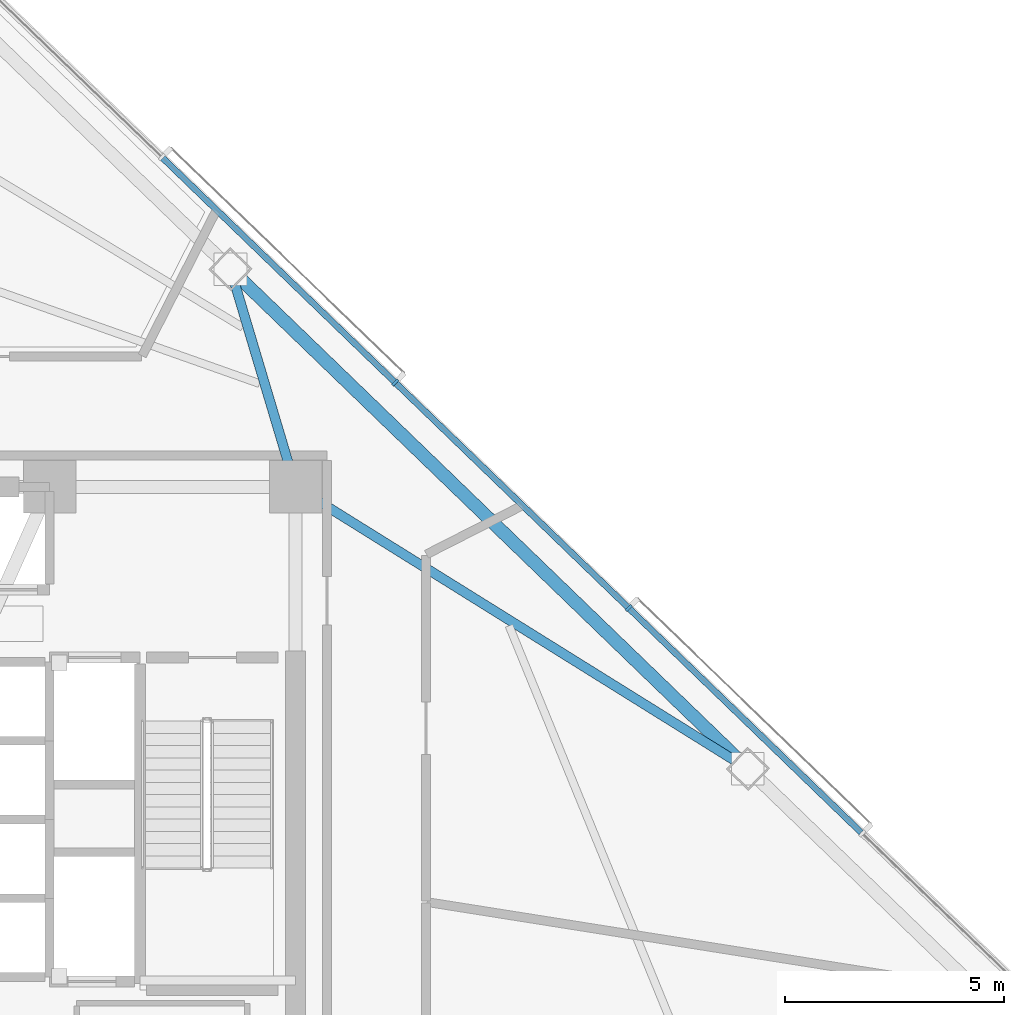
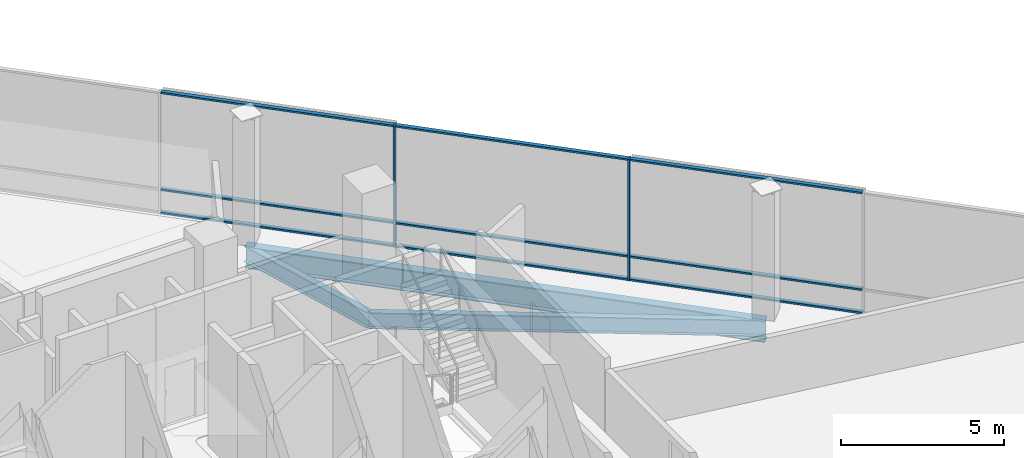
# One storey, part 7 of 18: 11 members, 3 beams, 1 element without a shape of its own.
"""IFC4 building model written with IfcOpenShell, lengths in metres."""

from ifc_helpers import new_model, si_unit, direction, frame, origin, origin_2d, place, context, subcontext, project, spatial, rectangle, i_section, extrude, material, layer, layer_set, material_profile, profile_set, type_object, element, aggregate, save


model = new_model("IFC4")

# Units and contexts
model_context = context("Model", 3, precision=1e-05, world=origin(), true_north=direction((0.0, 1.0)))
body_context = subcontext(model_context, "Body", "Model", "MODEL_VIEW")
ifc_project = project(units=[si_unit("LENGTHUNIT", "METRE"), si_unit("AREAUNIT", "SQUARE_METRE"), si_unit("VOLUMEUNIT", "CUBIC_METRE"), si_unit("PLANEANGLEUNIT", "RADIAN"), si_unit("MASSUNIT", "GRAM", prefix="KILO")], contexts=[model_context])

# Site, building, storey
site_placement = place(None, origin())
site = spatial("IfcSite", under=ifc_project, at=site_placement, CompositionType="ELEMENT")
building_placement = place(site_placement, origin())
building = spatial("IfcBuilding", under=site, at=building_placement, Name="Tharavind Bronze Gate", CompositionType="ELEMENT")
storey_placement = place(building_placement, frame((0.0, 0.0, 107.699951171875)))
storey = spatial("IfcBuildingStorey", under=building, at=storey_placement, Name="L27", CompositionType="ELEMENT", Elevation=107.699951171875)

# Curtain wall, members
ifc_material_1 = material(Name="Anodised Bronze Aluminium", Category="aluminium")
ifc_layer = layer(ifc_material_1, 0.219970703125)
ifc_layer_set = layer_set([ifc_layer], Name="Anodised Bronze Aluminium")
curtain_wall_type = type_object("IfcCurtainWallType", Name="UNITISED CURTAIN WALL LOWER OFFICE", PredefinedType="USERDEFINED", material=ifc_layer_set)
curtain_wall_placement = place(storey_placement, origin())
curtain_wall = element("IfcCurtainWall", 1, at=curtain_wall_placement, inside=storey, type_object=curtain_wall_type, Name="L27 unitised curtain wall lower office CW-L27-S3", ObjectType="UNITISED CURTAIN WALL", PredefinedType="USERDEFINED")
member_type_1 = type_object("IfcMemberType", Name="CURTAIN WALL BRONZE MULLION 65X180", PredefinedType="MULLION", material=ifc_material_1)
member_1_placement = place(storey_placement, frame((16.512939453125, 4.83251953125, 0.0), z_axis=(0.0, 0.0, 1.0), x_axis=(-0.719341012745, 0.694657114973, 0.0)))
member_1 = element("IfcMember", 2, at=member_1_placement, type_object=member_type_1, Name="CW-L27-S3 mullion 4", PredefinedType="MULLION", context=body_context, shape_type="SweptSolid", body=[
    extrude(rectangle(XDim=0.06494140625, YDim=0.179931640625, at=origin_2d()), origin(), (0.0, 0.0, 1.0), 4.56005859375),
])
member_2_placement = place(storey_placement, frame((11.1796875, 9.98291015625, 0.0), z_axis=(0.0, 0.0, 1.0), x_axis=(-0.719341012745, 0.694657114973, 0.0)))
member_2 = element("IfcMember", 3, at=member_2_placement, type_object=member_type_1, Name="CW-L27-S3 mullion 5", PredefinedType="MULLION", context=body_context, shape_type="SweptSolid", body=[
    extrude(rectangle(XDim=0.06494140625, YDim=0.179931640625, at=origin_2d()), origin(), (0.0, 0.0, 1.0), 4.56005859375),
])
member_type_2 = type_object("IfcMemberType", Name="CURTAIN WALL BRONZE TRANSOM 65X140", PredefinedType="USERDEFINED", material=ifc_material_1)
member_3_placement = place(storey_placement, frame((19.1796875, 2.25732421875, 0.0), z_axis=(0.0, 0.0, 1.0), x_axis=(-0.719341012745, 0.694657114973, 0.0)))
member_3 = element("IfcMember", 4, at=member_3_placement, type_object=member_type_2, Name="CW-L27-S3 transom TB3", ObjectType="TRANSOM", PredefinedType="USERDEFINED", context=body_context, shape_type="SweptSolid", body=[
    extrude(rectangle(XDim=7.361083984375, YDim=0.139892578125, at=origin_2d()), origin(), (0.0, 0.0, 1.0), 0.06494140625),
])
member_4_placement = place(storey_placement, frame((19.1796875, 2.25732421875, 0.86767578125), z_axis=(0.0, 0.0, 1.0), x_axis=(-0.719341012745, 0.694657114973, 0.0)))
member_4 = element("IfcMember", 5, at=member_4_placement, type_object=member_type_2, Name="CW-L27-S3 transom TS3", ObjectType="TRANSOM", PredefinedType="USERDEFINED", context=body_context, shape_type="SweptSolid", body=[
    extrude(rectangle(XDim=7.361083984375, YDim=0.139892578125, at=origin_2d()), origin(), (0.0, 0.0, 1.0), 0.06494140625),
])
member_5_placement = place(storey_placement, frame((19.1796875, 2.25732421875, 4.4951171875), z_axis=(0.0, 0.0, 1.0), x_axis=(-0.719341012745, 0.694657114973, 0.0)))
member_5 = element("IfcMember", 6, at=member_5_placement, type_object=member_type_2, Name="CW-L27-S3 transom TT3", ObjectType="TRANSOM", PredefinedType="USERDEFINED", context=body_context, shape_type="SweptSolid", body=[
    extrude(rectangle(XDim=7.361083984375, YDim=0.139892578125, at=origin_2d()), origin(), (0.0, 0.0, 1.0), 0.06494140625),
])
member_6_placement = place(storey_placement, frame((13.84619140625, 7.40771484375, 0.0), z_axis=(0.0, 0.0, 1.0), x_axis=(-0.719341012745, 0.694657114973, 0.0)))
member_6 = element("IfcMember", 7, at=member_6_placement, type_object=member_type_2, Name="CW-L27-S3 transom TB4", ObjectType="TRANSOM", PredefinedType="USERDEFINED", context=body_context, shape_type="SweptSolid", body=[
    extrude(rectangle(XDim=7.361083984375, YDim=0.139892578125, at=origin_2d()), origin(), (0.0, 0.0, 1.0), 0.06494140625),
])
member_7_placement = place(storey_placement, frame((13.84619140625, 7.40771484375, 0.86767578125), z_axis=(0.0, 0.0, 1.0), x_axis=(-0.719341012745, 0.694657114973, 0.0)))
member_7 = element("IfcMember", 8, at=member_7_placement, type_object=member_type_2, Name="CW-L27-S3 transom TS4", ObjectType="TRANSOM", PredefinedType="USERDEFINED", context=body_context, shape_type="SweptSolid", body=[
    extrude(rectangle(XDim=7.361083984375, YDim=0.139892578125, at=origin_2d()), origin(), (0.0, 0.0, 1.0), 0.06494140625),
])
member_8_placement = place(storey_placement, frame((13.84619140625, 7.40771484375, 4.4951171875), z_axis=(0.0, 0.0, 1.0), x_axis=(-0.719341012745, 0.694657114973, 0.0)))
member_8 = element("IfcMember", 9, at=member_8_placement, type_object=member_type_2, Name="CW-L27-S3 transom TT4", ObjectType="TRANSOM", PredefinedType="USERDEFINED", context=body_context, shape_type="SweptSolid", body=[
    extrude(rectangle(XDim=7.361083984375, YDim=0.139892578125, at=origin_2d()), origin(), (0.0, 0.0, 1.0), 0.06494140625),
])
member_9_placement = place(storey_placement, frame((8.512939453125, 12.55810546875, 0.0), z_axis=(0.0, 0.0, 1.0), x_axis=(-0.719341012745, 0.694657114973, 0.0)))
member_9 = element("IfcMember", 10, at=member_9_placement, type_object=member_type_2, Name="CW-L27-S3 transom TB5", ObjectType="TRANSOM", PredefinedType="USERDEFINED", context=body_context, shape_type="SweptSolid", body=[
    extrude(rectangle(XDim=7.361083984375, YDim=0.139892578125, at=origin_2d()), origin(), (0.0, 0.0, 1.0), 0.06494140625),
])
member_10_placement = place(storey_placement, frame((8.512939453125, 12.55810546875, 0.86767578125), z_axis=(0.0, 0.0, 1.0), x_axis=(-0.719341012745, 0.694657114973, 0.0)))
member_10 = element("IfcMember", 11, at=member_10_placement, type_object=member_type_2, Name="CW-L27-S3 transom TS5", ObjectType="TRANSOM", PredefinedType="USERDEFINED", context=body_context, shape_type="SweptSolid", body=[
    extrude(rectangle(XDim=7.361083984375, YDim=0.139892578125, at=origin_2d()), origin(), (0.0, 0.0, 1.0), 0.06494140625),
])
member_11_placement = place(storey_placement, frame((8.512939453125, 12.55810546875, 4.4951171875), z_axis=(0.0, 0.0, 1.0), x_axis=(-0.719341012745, 0.694657114973, 0.0)))
member_11 = element("IfcMember", 12, at=member_11_placement, type_object=member_type_2, Name="CW-L27-S3 transom TT5", ObjectType="TRANSOM", PredefinedType="USERDEFINED", context=body_context, shape_type="SweptSolid", body=[
    extrude(rectangle(XDim=7.361083984375, YDim=0.139892578125, at=origin_2d()), origin(), (0.0, 0.0, 1.0), 0.06494140625),
])
aggregate(curtain_wall, [member_1, member_2, member_3, member_4, member_5, member_6, member_7, member_8, member_9, member_10, member_11])

# Beams
ifc_material_2 = material(Name="Steel S355", Category="steel")
ifc_material_profile_1 = material_profile(ifc_material_2, i_section(OverallWidth=0.219970703125, OverallDepth=0.60009765625, WebThickness=0.011962890625, FlangeThickness=0.01904296875, at=origin_2d()), Name="IPE600")
ifc_profile_set_1 = profile_set([ifc_material_profile_1], Name="Steel S355")
beam_type_1 = type_object("IfcBeamType", Name="PRIMARY GIRDER IPE600", PredefinedType="USERDEFINED", material=ifc_profile_set_1)
beam_1_placement = place(storey_placement, frame((19.236083984375, 1.160400390625, -0.489990234375), z_axis=(-0.848750917637, 0.528792851513, 0.0), x_axis=(-0.528792851513, -0.848750917637, 0.0)))
element("IfcBeam", 13, at=beam_1_placement, inside=storey, type_object=beam_type_1, Name="L27 primary girder ipe600 BM-L27-RAD10", ObjectType="GIRDER", PredefinedType="USERDEFINED", context=body_context, shape_type="SweptSolid", body=[
    extrude(i_section(OverallWidth=0.219970703125, OverallDepth=0.60009765625, WebThickness=0.011962890625, FlangeThickness=0.01904296875, at=origin_2d()), origin(), (0.0, 0.0, 1.0), 12.17822265625),
])
beam_2_placement = place(storey_placement, frame((7.41455078125, 12.576171875, -0.489990234375), z_axis=(0.286027795034, -0.958221321234, 0.0), x_axis=(0.958221321234, 0.286027795034, 0.0)))
element("IfcBeam", 14, at=beam_2_placement, inside=storey, type_object=beam_type_1, Name="L27 primary girder ipe600 BM-L27-RAD11", ObjectType="GIRDER", PredefinedType="USERDEFINED", context=body_context, shape_type="SweptSolid", body=[
    extrude(i_section(OverallWidth=0.219970703125, OverallDepth=0.60009765625, WebThickness=0.011962890625, FlangeThickness=0.01904296875, at=origin_2d()), origin(), (0.0, 0.0, 1.0), 5.193115234375),
])
ifc_material_profile_2 = material_profile(ifc_material_2, i_section(OverallWidth=0.300048828125, OverallDepth=0.800048828125, WebThickness=0.017578125, FlangeThickness=0.032958984375, at=origin_2d()), Name="HE800B")
ifc_profile_set_2 = profile_set([ifc_material_profile_2], Name="Steel S355")
beam_type_2 = type_object("IfcBeamType", Name="RING GIRDER HE800B", PredefinedType="USERDEFINED", material=ifc_profile_set_2)
beam_3_placement = place(storey_placement, frame((19.236083984375, 1.160400390625, -0.58984375), z_axis=(-0.719344374421, 0.694653633827, 0.0), x_axis=(-0.694653633827, -0.719344374421, 0.0)))
element("IfcBeam", 15, at=beam_3_placement, inside=storey, type_object=beam_type_2, Name="L27 ring girder he800b BM-L27-PRG10", ObjectType="GIRDER", PredefinedType="USERDEFINED", context=body_context, shape_type="SweptSolid", body=[
    extrude(i_section(OverallWidth=0.300048828125, OverallDepth=0.800048828125, WebThickness=0.017578125, FlangeThickness=0.032958984375, at=origin_2d()), origin(), (0.0, 0.0, 1.0), 16.433837890625),
])

save(model, "model.ifc")
